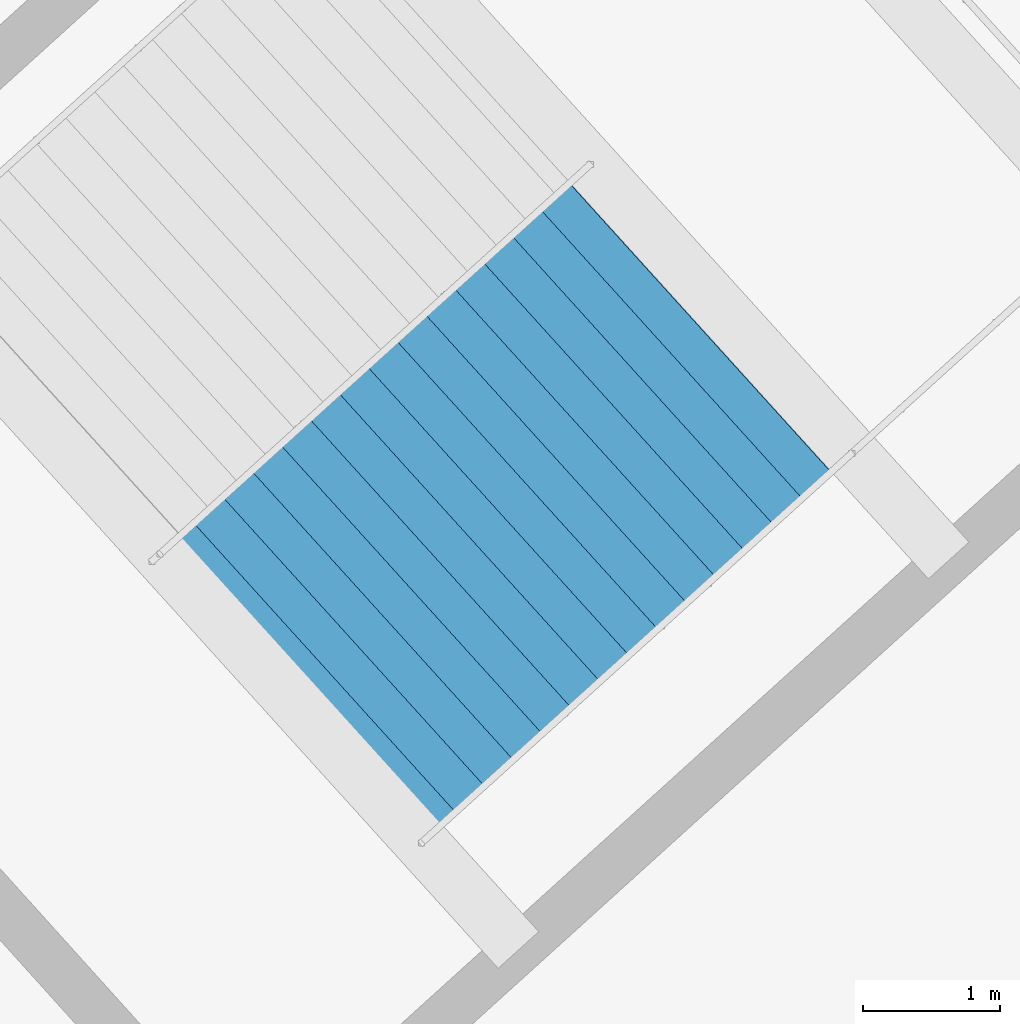
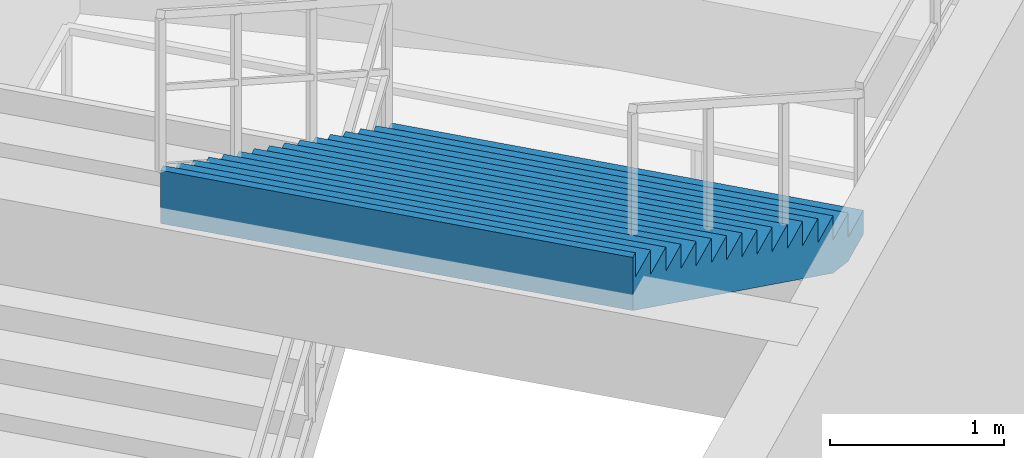
# One storey, part 87 of 103: 1 stair flight, 1 element without a shape of its own.
"""IFC4 building model written with IfcOpenShell, lengths in metres."""

from ifc_helpers import new_model, si_unit, direction, frame, origin, place, context, subcontext, project, spatial, polygons, material, type_object, element, aggregate, save


model = new_model("IFC4")

# Units and contexts
model_context = context("Model", 3, precision=1e-05, world=origin(), true_north=direction((0.0, 1.0)))
body_context = subcontext(model_context, "Body", "Model", "MODEL_VIEW")
ifc_project = project(units=[si_unit("LENGTHUNIT", "METRE"), si_unit("AREAUNIT", "SQUARE_METRE"), si_unit("VOLUMEUNIT", "CUBIC_METRE"), si_unit("PLANEANGLEUNIT", "RADIAN"), si_unit("MASSUNIT", "GRAM", prefix="KILO")], contexts=[model_context])

# Site, building, storey
site_placement = place(None, origin())
site = spatial("IfcSite", under=ifc_project, at=site_placement, CompositionType="ELEMENT")
building_placement = place(site_placement, origin())
building = spatial("IfcBuilding", under=site, at=building_placement, Name="Kazemori Nagisa Stadium", CompositionType="ELEMENT")
storey_placement = place(building_placement, frame((0.0, 0.0, 25.840087890625)))
storey = spatial("IfcBuildingStorey", under=building, at=storey_placement, Name="L05", CompositionType="ELEMENT", Elevation=25.840087890625)

# Stair, stair flight
ifc_material = material(Name="Concrete C36/45 (Fc36)", Category="concrete")
stair_type = type_object("IfcStairType", Name="Stair_CORE_32", PredefinedType="TWO_STRAIGHT_RUN_STAIR", material=ifc_material)
stair_placement = place(storey_placement, origin())
stair = element("IfcStair", 1, at=stair_placement, inside=storey, type_object=stair_type, Name="Exit stair ST04 L05", PredefinedType="TWO_STRAIGHT_RUN_STAIR")
stair_flight_type = type_object("IfcStairFlightType", Name="Flight_CORE_16", PredefinedType="STRAIGHT", material=ifc_material)
stair_flight_placement = place(storey_placement, frame((187.9541015625, 40.25390625, 2.719970703125), z_axis=(0.0, 0.0, 1.0), x_axis=(-0.741328742395, -0.671142083093, 0.0)))
stair_flight = element("IfcStairFlight", 2, at=stair_flight_placement, type_object=stair_flight_type, Name="Exit stair ST04 L05 flight 2", NumberOfRisers=16, NumberOfTreads=15, PredefinedType="STRAIGHT", RiserHeight=0.17, TreadLength=0.285, context=body_context, shape_type="Tessellation", body=[
    polygons([(0.0, -1.425048828125, 0.0), (0.0, -1.425048828125, 0.169921875), (0.284912109375, -1.425048828125, 0.169921875), (0.284912109375, -1.425048828125, 0.340087890625), (0.570068359375, -1.425048828125, 0.340087890625), (0.570068359375, -1.425048828125, 0.510009765625), (0.85498046875, -1.425048828125, 0.510009765625), (0.85498046875, -1.425048828125, 0.679931640625), (1.139892578125, -1.425048828125, 0.679931640625), (1.139892578125, -1.425048828125, 0.85009765625), (1.425048828125, -1.425048828125, 0.85009765625), (1.425048828125, -1.425048828125, 1.02001953125), (1.7099609375, -1.425048828125, 1.02001953125), (1.7099609375, -1.425048828125, 1.18994140625), (1.9951171875, -1.425048828125, 1.18994140625), (1.9951171875, -1.425048828125, 1.360107421875), (2.280029296875, -1.425048828125, 1.360107421875), (2.280029296875, -1.425048828125, 1.530029296875), (2.56494140625, -1.425048828125, 1.530029296875), (2.56494140625, -1.425048828125, 1.699951171875), (2.85009765625, -1.425048828125, 1.699951171875), (2.85009765625, -1.425048828125, 1.8701171875), (3.135009765625, -1.425048828125, 1.8701171875), (3.135009765625, -1.425048828125, 2.0400390625), (3.419921875, -1.425048828125, 2.0400390625), (3.419921875, -1.425048828125, 2.2099609375), (3.705078125, -1.425048828125, 2.2099609375), (3.705078125, -1.425048828125, 2.3798828125), (3.989990234375, -1.425048828125, 2.3798828125), (3.989990234375, -1.425048828125, 2.550048828125), (4.27490234375, -1.425048828125, 2.550048828125), (4.27490234375, -1.425048828125, 2.719970703125), (4.324951171875, -1.425048828125, 2.719970703125), (4.324951171875, -1.425048828125, 2.346923828125), (4.27490234375, -1.425048828125, 2.317138671875), (3.989990234375, -1.425048828125, 2.147216796875), (3.705078125, -1.425048828125, 1.977294921875), (3.419921875, -1.425048828125, 1.80712890625), (3.135009765625, -1.425048828125, 1.63720703125), (2.85009765625, -1.425048828125, 1.46728515625), (2.56494140625, -1.425048828125, 1.297119140625), (2.280029296875, -1.425048828125, 1.127197265625), (1.9951171875, -1.425048828125, 0.957275390625), (1.7099609375, -1.425048828125, 0.787109375), (1.425048828125, -1.425048828125, 0.6171875), (1.139892578125, -1.425048828125, 0.447265625), (0.85498046875, -1.425048828125, 0.277099609375), (0.570068359375, -1.425048828125, 0.107177734375), (0.284912109375, -1.425048828125, 0.0), (0.0, -0.08544921875, 0.0), (0.0, -0.08544921875, 0.169921875), (0.284912109375, -0.08544921875, 0.169921875), (0.284912109375, -0.08544921875, 0.340087890625), (0.570068359375, -0.08544921875, 0.340087890625), (0.570068359375, -0.08544921875, 0.510009765625), (0.85498046875, -0.08544921875, 0.510009765625), (0.85498046875, -0.08544921875, 0.679931640625), (1.139892578125, -0.08544921875, 0.679931640625), (1.139892578125, -0.08544921875, 0.85009765625), (1.425048828125, -0.08544921875, 0.85009765625), (1.425048828125, -0.08544921875, 1.02001953125), (1.7099609375, -0.08544921875, 1.02001953125), (1.7099609375, -0.08544921875, 1.18994140625), (1.9951171875, -0.08544921875, 1.18994140625), (1.9951171875, -0.08544921875, 1.360107421875), (2.280029296875, -0.08544921875, 1.360107421875), (2.280029296875, -0.08544921875, 1.530029296875), (2.56494140625, -0.08544921875, 1.530029296875), (2.56494140625, -0.08544921875, 1.699951171875), (2.85009765625, -0.08544921875, 1.699951171875), (2.85009765625, -0.08544921875, 1.8701171875), (3.135009765625, -0.08544921875, 1.8701171875), (3.135009765625, -0.08544921875, 2.0400390625), (3.419921875, -0.08544921875, 2.0400390625), (3.419921875, -0.08544921875, 2.2099609375), (3.705078125, -0.08544921875, 2.2099609375), (3.705078125, -0.08544921875, 2.3798828125), (3.989990234375, -0.08544921875, 2.3798828125), (3.989990234375, -0.08544921875, 2.550048828125), (4.27490234375, -0.08544921875, 2.550048828125), (4.27490234375, -0.08544921875, 2.719970703125), (4.324951171875, -0.08544921875, 2.719970703125), (4.324951171875, -0.08544921875, 2.346923828125), (4.27490234375, -0.08544921875, 2.317138671875), (3.989990234375, -0.08544921875, 2.147216796875), (3.705078125, -0.08544921875, 1.977294921875), (3.419921875, -0.08544921875, 1.80712890625), (3.135009765625, -0.08544921875, 1.63720703125), (2.85009765625, -0.08544921875, 1.46728515625), (2.56494140625, -0.08544921875, 1.297119140625), (2.280029296875, -0.08544921875, 1.127197265625), (1.9951171875, -0.08544921875, 0.957275390625), (1.7099609375, -0.08544921875, 0.787109375), (1.425048828125, -0.08544921875, 0.6171875), (1.139892578125, -0.08544921875, 0.447265625), (0.85498046875, -0.08544921875, 0.277099609375), (0.570068359375, -0.08544921875, 0.107177734375), (0.284912109375, -0.08544921875, 0.0), (0.0, 0.0, 0.0), (0.0, 0.0, 0.169921875), (0.284912109375, 0.0, 0.169921875), (0.284912109375, 0.0, 0.340087890625), (0.570068359375, 0.0, 0.340087890625), (0.570068359375, 0.0, 0.510009765625), (0.85498046875, 0.0, 0.510009765625), (0.85498046875, 0.0, 0.679931640625), (1.139892578125, 0.0, 0.679931640625), (1.139892578125, 0.0, 0.85009765625), (1.425048828125, 0.0, 0.85009765625), (1.425048828125, 0.0, 1.02001953125), (1.7099609375, 0.0, 1.02001953125), (1.7099609375, 0.0, 1.18994140625), (1.9951171875, 0.0, 1.18994140625), (1.9951171875, 0.0, 1.360107421875), (2.280029296875, 0.0, 1.360107421875), (2.280029296875, 0.0, 1.530029296875), (2.56494140625, 0.0, 1.530029296875), (2.56494140625, 0.0, 1.699951171875), (2.85009765625, 0.0, 1.699951171875), (2.85009765625, 0.0, 1.8701171875), (3.135009765625, 0.0, 1.8701171875), (3.135009765625, 0.0, 2.0400390625), (3.419921875, 0.0, 2.0400390625), (3.419921875, 0.0, 2.2099609375), (3.705078125, 0.0, 2.2099609375), (3.705078125, 0.0, 2.3798828125), (3.989990234375, 0.0, 2.3798828125), (3.989990234375, 0.0, 2.550048828125), (4.27490234375, 0.0, 2.550048828125), (4.27490234375, 0.0, 2.719970703125), (4.324951171875, 0.0, 2.719970703125), (4.324951171875, 0.0, 2.346923828125), (4.27490234375, 0.0, 2.317138671875), (3.989990234375, 0.0, 2.147216796875), (3.705078125, 0.0, 1.977294921875), (3.419921875, 0.0, 1.80712890625), (3.135009765625, 0.0, 1.63720703125), (2.85009765625, 0.0, 1.46728515625), (2.56494140625, 0.0, 1.297119140625), (2.280029296875, 0.0, 1.127197265625), (1.9951171875, 0.0, 0.957275390625), (1.7099609375, 0.0, 0.787109375), (1.425048828125, 0.0, 0.6171875), (1.139892578125, 0.0, 0.447265625), (0.85498046875, 0.0, 0.277099609375), (0.570068359375, 0.0, 0.107177734375), (0.284912109375, 0.0, 0.0), (0.0, 0.08544921875, 0.0), (0.0, 0.08544921875, 0.169921875), (0.284912109375, 0.08544921875, 0.169921875), (0.284912109375, 0.08544921875, 0.340087890625), (0.570068359375, 0.08544921875, 0.340087890625), (0.570068359375, 0.08544921875, 0.510009765625), (0.85498046875, 0.08544921875, 0.510009765625), (0.85498046875, 0.08544921875, 0.679931640625), (1.139892578125, 0.08544921875, 0.679931640625), (1.139892578125, 0.08544921875, 0.85009765625), (1.425048828125, 0.08544921875, 0.85009765625), (1.425048828125, 0.08544921875, 1.02001953125), (1.7099609375, 0.08544921875, 1.02001953125), (1.7099609375, 0.08544921875, 1.18994140625), (1.9951171875, 0.08544921875, 1.18994140625), (1.9951171875, 0.08544921875, 1.360107421875), (2.280029296875, 0.08544921875, 1.360107421875), (2.280029296875, 0.08544921875, 1.530029296875), (2.56494140625, 0.08544921875, 1.530029296875), (2.56494140625, 0.08544921875, 1.699951171875), (2.85009765625, 0.08544921875, 1.699951171875), (2.85009765625, 0.08544921875, 1.8701171875), (3.135009765625, 0.08544921875, 1.8701171875), (3.135009765625, 0.08544921875, 2.0400390625), (3.419921875, 0.08544921875, 2.0400390625), (3.419921875, 0.08544921875, 2.2099609375), (3.705078125, 0.08544921875, 2.2099609375), (3.705078125, 0.08544921875, 2.3798828125), (3.989990234375, 0.08544921875, 2.3798828125), (3.989990234375, 0.08544921875, 2.550048828125), (4.27490234375, 0.08544921875, 2.550048828125), (4.27490234375, 0.08544921875, 2.719970703125), (4.324951171875, 0.08544921875, 2.719970703125), (4.324951171875, 0.08544921875, 2.346923828125), (4.27490234375, 0.08544921875, 2.317138671875), (3.989990234375, 0.08544921875, 2.147216796875), (3.705078125, 0.08544921875, 1.977294921875), (3.419921875, 0.08544921875, 1.80712890625), (3.135009765625, 0.08544921875, 1.63720703125), (2.85009765625, 0.08544921875, 1.46728515625), (2.56494140625, 0.08544921875, 1.297119140625), (2.280029296875, 0.08544921875, 1.127197265625), (1.9951171875, 0.08544921875, 0.957275390625), (1.7099609375, 0.08544921875, 0.787109375), (1.425048828125, 0.08544921875, 0.6171875), (1.139892578125, 0.08544921875, 0.447265625), (0.85498046875, 0.08544921875, 0.277099609375), (0.570068359375, 0.08544921875, 0.107177734375), (0.284912109375, 0.08544921875, 0.0), (0.0, 1.425048828125, 0.0), (0.0, 1.425048828125, 0.169921875), (0.284912109375, 1.425048828125, 0.169921875), (0.284912109375, 1.425048828125, 0.340087890625), (0.570068359375, 1.425048828125, 0.340087890625), (0.570068359375, 1.425048828125, 0.510009765625), (0.85498046875, 1.425048828125, 0.510009765625), (0.85498046875, 1.425048828125, 0.679931640625), (1.139892578125, 1.425048828125, 0.679931640625), (1.139892578125, 1.425048828125, 0.85009765625), (1.425048828125, 1.425048828125, 0.85009765625), (1.425048828125, 1.425048828125, 1.02001953125), (1.7099609375, 1.425048828125, 1.02001953125), (1.7099609375, 1.425048828125, 1.18994140625), (1.9951171875, 1.425048828125, 1.18994140625), (1.9951171875, 1.425048828125, 1.360107421875), (2.280029296875, 1.425048828125, 1.360107421875), (2.280029296875, 1.425048828125, 1.530029296875), (2.56494140625, 1.425048828125, 1.530029296875), (2.56494140625, 1.425048828125, 1.699951171875), (2.85009765625, 1.425048828125, 1.699951171875), (2.85009765625, 1.425048828125, 1.8701171875), (3.135009765625, 1.425048828125, 1.8701171875), (3.135009765625, 1.425048828125, 2.0400390625), (3.419921875, 1.425048828125, 2.0400390625), (3.419921875, 1.425048828125, 2.2099609375), (3.705078125, 1.425048828125, 2.2099609375), (3.705078125, 1.425048828125, 2.3798828125), (3.989990234375, 1.425048828125, 2.3798828125), (3.989990234375, 1.425048828125, 2.550048828125), (4.27490234375, 1.425048828125, 2.550048828125), (4.27490234375, 1.425048828125, 2.719970703125), (4.324951171875, 1.425048828125, 2.719970703125), (4.324951171875, 1.425048828125, 2.346923828125), (4.27490234375, 1.425048828125, 2.317138671875), (3.989990234375, 1.425048828125, 2.147216796875), (3.705078125, 1.425048828125, 1.977294921875), (3.419921875, 1.425048828125, 1.80712890625), (3.135009765625, 1.425048828125, 1.63720703125), (2.85009765625, 1.425048828125, 1.46728515625), (2.56494140625, 1.425048828125, 1.297119140625), (2.280029296875, 1.425048828125, 1.127197265625), (1.9951171875, 1.425048828125, 0.957275390625), (1.7099609375, 1.425048828125, 0.787109375), (1.425048828125, 1.425048828125, 0.6171875), (1.139892578125, 1.425048828125, 0.447265625), (0.85498046875, 1.425048828125, 0.277099609375), (0.570068359375, 1.425048828125, 0.107177734375), (0.284912109375, 1.425048828125, 0.0)], [[[1, 2, 51]], [[1, 51, 50]], [[2, 3, 52]], [[2, 52, 51]], [[3, 4, 53]], [[3, 53, 52]], [[4, 5, 54]], [[4, 54, 53]], [[5, 6, 55]], [[5, 55, 54]], [[6, 7, 56]], [[6, 56, 55]], [[7, 8, 57]], [[7, 57, 56]], [[8, 9, 58]], [[8, 58, 57]], [[9, 10, 59]], [[9, 59, 58]], [[10, 11, 60]], [[10, 60, 59]], [[11, 12, 61]], [[11, 61, 60]], [[12, 13, 62]], [[12, 62, 61]], [[13, 14, 63]], [[13, 63, 62]], [[14, 15, 64]], [[14, 64, 63]], [[15, 16, 65]], [[15, 65, 64]], [[16, 17, 66]], [[16, 66, 65]], [[17, 18, 67]], [[17, 67, 66]], [[18, 19, 68]], [[18, 68, 67]], [[19, 20, 69]], [[19, 69, 68]], [[20, 21, 70]], [[20, 70, 69]], [[21, 22, 71]], [[21, 71, 70]], [[22, 23, 72]], [[22, 72, 71]], [[23, 24, 73]], [[23, 73, 72]], [[24, 25, 74]], [[24, 74, 73]], [[25, 26, 75]], [[25, 75, 74]], [[26, 27, 76]], [[26, 76, 75]], [[27, 28, 77]], [[27, 77, 76]], [[28, 29, 78]], [[28, 78, 77]], [[29, 30, 79]], [[29, 79, 78]], [[30, 31, 80]], [[30, 80, 79]], [[31, 32, 81]], [[31, 81, 80]], [[32, 33, 82]], [[32, 82, 81]], [[33, 34, 83]], [[33, 83, 82]], [[34, 35, 84]], [[34, 84, 83]], [[35, 36, 85]], [[35, 85, 84]], [[36, 37, 86]], [[36, 86, 85]], [[37, 38, 87]], [[37, 87, 86]], [[38, 39, 88]], [[38, 88, 87]], [[39, 40, 89]], [[39, 89, 88]], [[40, 41, 90]], [[40, 90, 89]], [[41, 42, 91]], [[41, 91, 90]], [[42, 43, 92]], [[42, 92, 91]], [[43, 44, 93]], [[43, 93, 92]], [[44, 45, 94]], [[44, 94, 93]], [[45, 46, 95]], [[45, 95, 94]], [[46, 47, 96]], [[46, 96, 95]], [[47, 48, 97]], [[47, 97, 96]], [[48, 49, 98]], [[48, 98, 97]], [[49, 1, 50]], [[49, 50, 98]], [[50, 51, 100]], [[50, 100, 99]], [[51, 52, 101]], [[51, 101, 100]], [[52, 53, 102]], [[52, 102, 101]], [[53, 54, 103]], [[53, 103, 102]], [[54, 55, 104]], [[54, 104, 103]], [[55, 56, 105]], [[55, 105, 104]], [[56, 57, 106]], [[56, 106, 105]], [[57, 58, 107]], [[57, 107, 106]], [[58, 59, 108]], [[58, 108, 107]], [[59, 60, 109]], [[59, 109, 108]], [[60, 61, 110]], [[60, 110, 109]], [[61, 62, 111]], [[61, 111, 110]], [[62, 63, 112]], [[62, 112, 111]], [[63, 64, 113]], [[63, 113, 112]], [[64, 65, 114]], [[64, 114, 113]], [[65, 66, 115]], [[65, 115, 114]], [[66, 67, 116]], [[66, 116, 115]], [[67, 68, 117]], [[67, 117, 116]], [[68, 69, 118]], [[68, 118, 117]], [[69, 70, 119]], [[69, 119, 118]], [[70, 71, 120]], [[70, 120, 119]], [[71, 72, 121]], [[71, 121, 120]], [[72, 73, 122]], [[72, 122, 121]], [[73, 74, 123]], [[73, 123, 122]], [[74, 75, 124]], [[74, 124, 123]], [[75, 76, 125]], [[75, 125, 124]], [[76, 77, 126]], [[76, 126, 125]], [[77, 78, 127]], [[77, 127, 126]], [[78, 79, 128]], [[78, 128, 127]], [[79, 80, 129]], [[79, 129, 128]], [[80, 81, 130]], [[80, 130, 129]], [[81, 82, 131]], [[81, 131, 130]], [[82, 83, 132]], [[82, 132, 131]], [[83, 84, 133]], [[83, 133, 132]], [[84, 85, 134]], [[84, 134, 133]], [[85, 86, 135]], [[85, 135, 134]], [[86, 87, 136]], [[86, 136, 135]], [[87, 88, 137]], [[87, 137, 136]], [[88, 89, 138]], [[88, 138, 137]], [[89, 90, 139]], [[89, 139, 138]], [[90, 91, 140]], [[90, 140, 139]], [[91, 92, 141]], [[91, 141, 140]], [[92, 93, 142]], [[92, 142, 141]], [[93, 94, 143]], [[93, 143, 142]], [[94, 95, 144]], [[94, 144, 143]], [[95, 96, 145]], [[95, 145, 144]], [[96, 97, 146]], [[96, 146, 145]], [[97, 98, 147]], [[97, 147, 146]], [[98, 50, 99]], [[98, 99, 147]], [[99, 100, 149]], [[99, 149, 148]], [[100, 101, 150]], [[100, 150, 149]], [[101, 102, 151]], [[101, 151, 150]], [[102, 103, 152]], [[102, 152, 151]], [[103, 104, 153]], [[103, 153, 152]], [[104, 105, 154]], [[104, 154, 153]], [[105, 106, 155]], [[105, 155, 154]], [[106, 107, 156]], [[106, 156, 155]], [[107, 108, 157]], [[107, 157, 156]], [[108, 109, 158]], [[108, 158, 157]], [[109, 110, 159]], [[109, 159, 158]], [[110, 111, 160]], [[110, 160, 159]], [[111, 112, 161]], [[111, 161, 160]], [[112, 113, 162]], [[112, 162, 161]], [[113, 114, 163]], [[113, 163, 162]], [[114, 115, 164]], [[114, 164, 163]], [[115, 116, 165]], [[115, 165, 164]], [[116, 117, 166]], [[116, 166, 165]], [[117, 118, 167]], [[117, 167, 166]], [[118, 119, 168]], [[118, 168, 167]], [[119, 120, 169]], [[119, 169, 168]], [[120, 121, 170]], [[120, 170, 169]], [[121, 122, 171]], [[121, 171, 170]], [[122, 123, 172]], [[122, 172, 171]], [[123, 124, 173]], [[123, 173, 172]], [[124, 125, 174]], [[124, 174, 173]], [[125, 126, 175]], [[125, 175, 174]], [[126, 127, 176]], [[126, 176, 175]], [[127, 128, 177]], [[127, 177, 176]], [[128, 129, 178]], [[128, 178, 177]], [[129, 130, 179]], [[129, 179, 178]], [[130, 131, 180]], [[130, 180, 179]], [[131, 132, 181]], [[131, 181, 180]], [[132, 133, 182]], [[132, 182, 181]], [[133, 134, 183]], [[133, 183, 182]], [[134, 135, 184]], [[134, 184, 183]], [[135, 136, 185]], [[135, 185, 184]], [[136, 137, 186]], [[136, 186, 185]], [[137, 138, 187]], [[137, 187, 186]], [[138, 139, 188]], [[138, 188, 187]], [[139, 140, 189]], [[139, 189, 188]], [[140, 141, 190]], [[140, 190, 189]], [[141, 142, 191]], [[141, 191, 190]], [[142, 143, 192]], [[142, 192, 191]], [[143, 144, 193]], [[143, 193, 192]], [[144, 145, 194]], [[144, 194, 193]], [[145, 146, 195]], [[145, 195, 194]], [[146, 147, 196]], [[146, 196, 195]], [[147, 99, 148]], [[147, 148, 196]], [[148, 149, 198]], [[148, 198, 197]], [[149, 150, 199]], [[149, 199, 198]], [[150, 151, 200]], [[150, 200, 199]], [[151, 152, 201]], [[151, 201, 200]], [[152, 153, 202]], [[152, 202, 201]], [[153, 154, 203]], [[153, 203, 202]], [[154, 155, 204]], [[154, 204, 203]], [[155, 156, 205]], [[155, 205, 204]], [[156, 157, 206]], [[156, 206, 205]], [[157, 158, 207]], [[157, 207, 206]], [[158, 159, 208]], [[158, 208, 207]], [[159, 160, 209]], [[159, 209, 208]], [[160, 161, 210]], [[160, 210, 209]], [[161, 162, 211]], [[161, 211, 210]], [[162, 163, 212]], [[162, 212, 211]], [[163, 164, 213]], [[163, 213, 212]], [[164, 165, 214]], [[164, 214, 213]], [[165, 166, 215]], [[165, 215, 214]], [[166, 167, 216]], [[166, 216, 215]], [[167, 168, 217]], [[167, 217, 216]], [[168, 169, 218]], [[168, 218, 217]], [[169, 170, 219]], [[169, 219, 218]], [[170, 171, 220]], [[170, 220, 219]], [[171, 172, 221]], [[171, 221, 220]], [[172, 173, 222]], [[172, 222, 221]], [[173, 174, 223]], [[173, 223, 222]], [[174, 175, 224]], [[174, 224, 223]], [[175, 176, 225]], [[175, 225, 224]], [[176, 177, 226]], [[176, 226, 225]], [[177, 178, 227]], [[177, 227, 226]], [[178, 179, 228]], [[178, 228, 227]], [[179, 180, 229]], [[179, 229, 228]], [[180, 181, 230]], [[180, 230, 229]], [[181, 182, 231]], [[181, 231, 230]], [[182, 183, 232]], [[182, 232, 231]], [[183, 184, 233]], [[183, 233, 232]], [[184, 185, 234]], [[184, 234, 233]], [[185, 186, 235]], [[185, 235, 234]], [[186, 187, 236]], [[186, 236, 235]], [[187, 188, 237]], [[187, 237, 236]], [[188, 189, 238]], [[188, 238, 237]], [[189, 190, 239]], [[189, 239, 238]], [[190, 191, 240]], [[190, 240, 239]], [[191, 192, 241]], [[191, 241, 240]], [[192, 193, 242]], [[192, 242, 241]], [[193, 194, 243]], [[193, 243, 242]], [[194, 195, 244]], [[194, 244, 243]], [[195, 196, 245]], [[195, 245, 244]], [[196, 148, 197]], [[196, 197, 245]], [[3, 2, 1]], [[197, 198, 199]], [[49, 3, 1]], [[197, 199, 245]], [[48, 3, 49]], [[245, 199, 244]], [[5, 3, 48]], [[244, 199, 201]], [[5, 4, 3]], [[199, 200, 201]], [[47, 5, 48]], [[244, 201, 243]], [[7, 5, 47]], [[243, 201, 203]], [[7, 6, 5]], [[201, 202, 203]], [[46, 7, 47]], [[243, 203, 242]], [[9, 7, 46]], [[242, 203, 205]], [[9, 8, 7]], [[203, 204, 205]], [[45, 9, 46]], [[242, 205, 241]], [[11, 9, 45]], [[241, 205, 207]], [[11, 10, 9]], [[205, 206, 207]], [[44, 11, 45]], [[241, 207, 240]], [[13, 11, 44]], [[240, 207, 209]], [[13, 12, 11]], [[207, 208, 209]], [[43, 13, 44]], [[240, 209, 239]], [[15, 13, 43]], [[239, 209, 211]], [[15, 14, 13]], [[209, 210, 211]], [[42, 15, 43]], [[239, 211, 238]], [[17, 15, 42]], [[238, 211, 213]], [[17, 16, 15]], [[211, 212, 213]], [[41, 17, 42]], [[238, 213, 237]], [[19, 17, 41]], [[237, 213, 215]], [[19, 18, 17]], [[213, 214, 215]], [[40, 19, 41]], [[237, 215, 236]], [[21, 19, 40]], [[236, 215, 217]], [[21, 20, 19]], [[215, 216, 217]], [[39, 21, 40]], [[236, 217, 235]], [[23, 21, 39]], [[235, 217, 219]], [[23, 22, 21]], [[217, 218, 219]], [[38, 23, 39]], [[235, 219, 234]], [[25, 23, 38]], [[234, 219, 221]], [[25, 24, 23]], [[219, 220, 221]], [[37, 25, 38]], [[234, 221, 233]], [[27, 25, 37]], [[233, 221, 223]], [[27, 26, 25]], [[221, 222, 223]], [[36, 27, 37]], [[233, 223, 232]], [[29, 27, 36]], [[232, 223, 225]], [[29, 28, 27]], [[223, 224, 225]], [[35, 29, 36]], [[232, 225, 231]], [[31, 29, 35]], [[231, 225, 227]], [[31, 30, 29]], [[225, 226, 227]], [[34, 31, 35]], [[231, 227, 230]], [[33, 31, 34]], [[230, 227, 229]], [[33, 32, 31]], [[227, 228, 229]]], closed=True),
])
aggregate(stair, [stair_flight])

save(model, "model.ifc")
